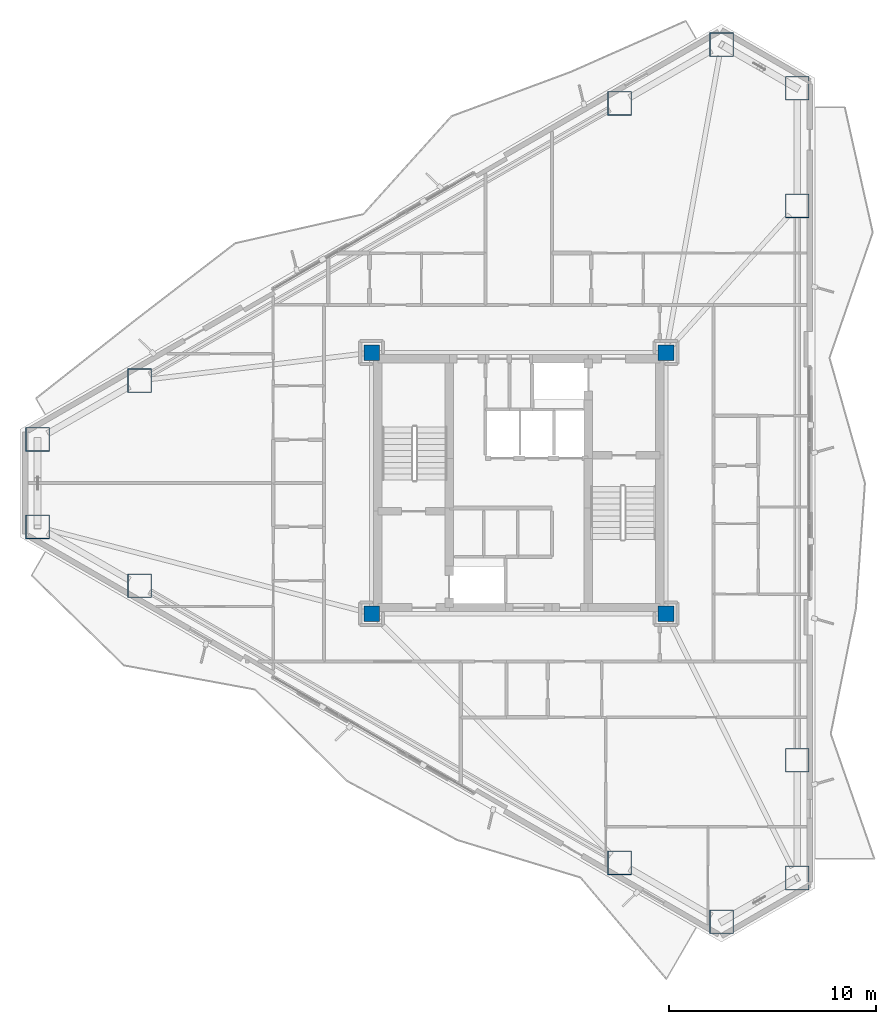
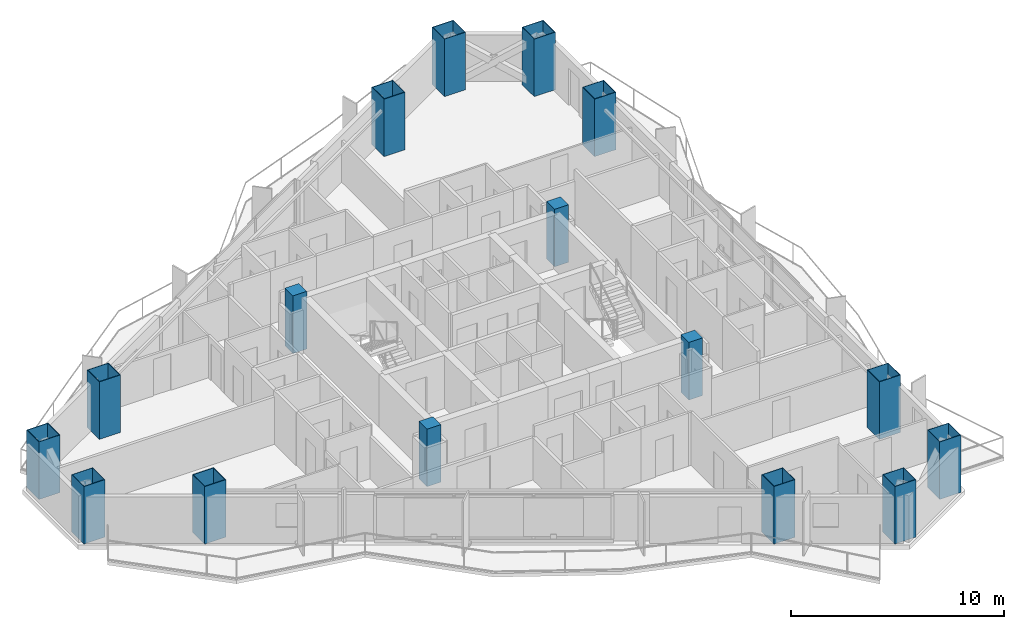
# One storey, part 1 of 23: 16 columns.
"""IFC4 building model written with IfcOpenShell, lengths in metres."""

from ifc_helpers import new_model, si_unit, direction, frame, origin, origin_2d, place, context, subcontext, project, spatial, rectangle, hollow_rectangle, extrude, material, material_profile, profile_set, type_object, element, save


model = new_model("IFC4")

# Units and contexts
model_context = context("Model", 3, precision=1e-05, world=origin(), true_north=direction((0.0, 1.0)))
body_context = subcontext(model_context, "Body", "Model", "MODEL_VIEW")
ifc_project = project(units=[si_unit("LENGTHUNIT", "METRE"), si_unit("AREAUNIT", "SQUARE_METRE"), si_unit("VOLUMEUNIT", "CUBIC_METRE"), si_unit("PLANEANGLEUNIT", "RADIAN"), si_unit("MASSUNIT", "GRAM", prefix="KILO")], contexts=[model_context])

# Site, building, storey
site_placement = place(None, origin())
site = spatial("IfcSite", under=ifc_project, at=site_placement, CompositionType="ELEMENT")
building_placement = place(site_placement, origin())
building = spatial("IfcBuilding", under=site, at=building_placement, Name="Mersakhor Tower and Convention Hall", CompositionType="ELEMENT")
storey_placement = place(building_placement, frame((0.0, 0.0, 106.5)))
storey = spatial("IfcBuildingStorey", under=building, at=storey_placement, Name="L29", CompositionType="ELEMENT", Elevation=106.5)

# Columns
ifc_material_1 = material(Name="Concrete C60/75 in S460M steel box", Category="concrete")
ifc_material_profile_1 = material_profile(ifc_material_1, hollow_rectangle(XDim=1.14990234375, YDim=1.14990234375, WallThickness=0.031982421875, at=origin_2d()), Name="SHS 1150x1150x32")
ifc_profile_set_1 = profile_set([ifc_material_profile_1], Name="Concrete C60/75 in S460M steel box")
column_type_1 = type_object("IfcColumnType", Name="COL-CFT-1150", PredefinedType="COLUMN", material=ifc_profile_set_1)
for number, where, z_axis, x_axis, name in (
    (1, (5.78662109375, 28.86083984375, 0.0), (0.0, 0.0, 1.0), (1.0, 0.0, 0.0), "L29 Perimeter Mega-Column MC-01"),
    (2, (10.702392578125, 31.698974609375, 0.0), (0.0, 0.0, 1.0), (1.0, 0.0, 0.0), "L29 Perimeter Mega-Column MC-02"),
    (3, (33.86279296875, 45.070556640625, 0.0), (0.0, 0.0, 1.0), (1.0, 0.0, 0.0), "L29 Perimeter Mega-Column MC-03"),
    (4, (38.77880859375, 47.90869140625, 0.0), (0.0, 0.0, 1.0), (1.0, 0.0, 0.0), "L29 Perimeter Mega-Column MC-04"),
    (5, (42.4345703125, 45.798095703125, 0.0), (0.0, 0.0, 1.0), (1.0, 0.0, 0.0), "L29 Perimeter Mega-Column MC-05"),
    (6, (42.4345703125, 40.12158203125, 0.0), (0.0, 0.0, 1.0), (1.0, 0.0, 0.0), "L29 Perimeter Mega-Column MC-06"),
    (7, (42.4345703125, 13.37841796875, 0.0), (0.0, 0.0, 1.0), (1.0, 0.0, 0.0), "L29 Perimeter Mega-Column MC-07"),
    (8, (42.4345703125, 7.701904296875, 0.0), (0.0, 0.0, 1.0), (1.0, 0.0, 0.0), "L29 Perimeter Mega-Column MC-08"),
    (9, (38.77880859375, 5.59130859375, 0.0), (0.0, 0.0, 1.0), (1.0, 0.0, 0.0), "L29 Perimeter Mega-Column MC-09"),
    (10, (33.86279296875, 8.429443359375, 0.0), (0.0, 0.0, 1.0), (1.0, 0.0, 0.0), "L29 Perimeter Mega-Column MC-10"),
    (11, (10.702392578125, 21.801025390625, 0.0), (0.0, 0.0, 1.0), (1.0, 0.0, 0.0), "L29 Perimeter Mega-Column MC-11"),
    (12, (5.78662109375, 24.63916015625, 0.0), (0.0, 0.0, 1.0), (1.0, 0.0, 0.0), "L29 Perimeter Mega-Column MC-12"),
):
    element("IfcColumn", number, at=place(storey_placement, frame(where, z_axis=z_axis, x_axis=x_axis)), inside=storey, type_object=column_type_1, Name=name, PredefinedType="COLUMN", context=body_context, shape_type="SweptSolid", body=[
        extrude(hollow_rectangle(XDim=1.14990234375, YDim=1.14990234375, WallThickness=0.031982421875, at=origin_2d()), origin(), (0.0, 0.0, 1.0), 3.300048828125),
    ])
ifc_material_2 = material(Name="Concrete C50/60", Category="concrete")
ifc_material_profile_2 = material_profile(ifc_material_2, rectangle(XDim=0.75, YDim=0.75, at=origin_2d()), Name="RC 750x750")
ifc_profile_set_2 = profile_set([ifc_material_profile_2], Name="Concrete C50/60")
column_type_2 = type_object("IfcColumnType", Name="COL-RC-750", PredefinedType="COLUMN", material=ifc_profile_set_2)
for number, where, z_axis, x_axis, name in (
    (13, (21.89990234375, 20.449951171875, 0.0), (0.0, 0.0, 1.0), (1.0, 0.0, 0.0), "L29 Core Corner Column CC-1"),
    (14, (21.89990234375, 33.050048828125, 0.0), (0.0, 0.0, 1.0), (1.0, 0.0, 0.0), "L29 Core Corner Column CC-2"),
    (15, (36.10009765625, 33.050048828125, 0.0), (0.0, 0.0, 1.0), (1.0, 0.0, 0.0), "L29 Core Corner Column CC-3"),
    (16, (36.10009765625, 20.449951171875, 0.0), (0.0, 0.0, 1.0), (1.0, 0.0, 0.0), "L29 Core Corner Column CC-4"),
):
    element("IfcColumn", number, at=place(storey_placement, frame(where, z_axis=z_axis, x_axis=x_axis)), inside=storey, type_object=column_type_2, Name=name, PredefinedType="COLUMN", context=body_context, shape_type="SweptSolid", body=[
        extrude(rectangle(XDim=0.75, YDim=0.75, at=origin_2d()), origin(), (0.0, 0.0, 1.0), 3.300048828125),
    ])

save(model, "model.ifc")
